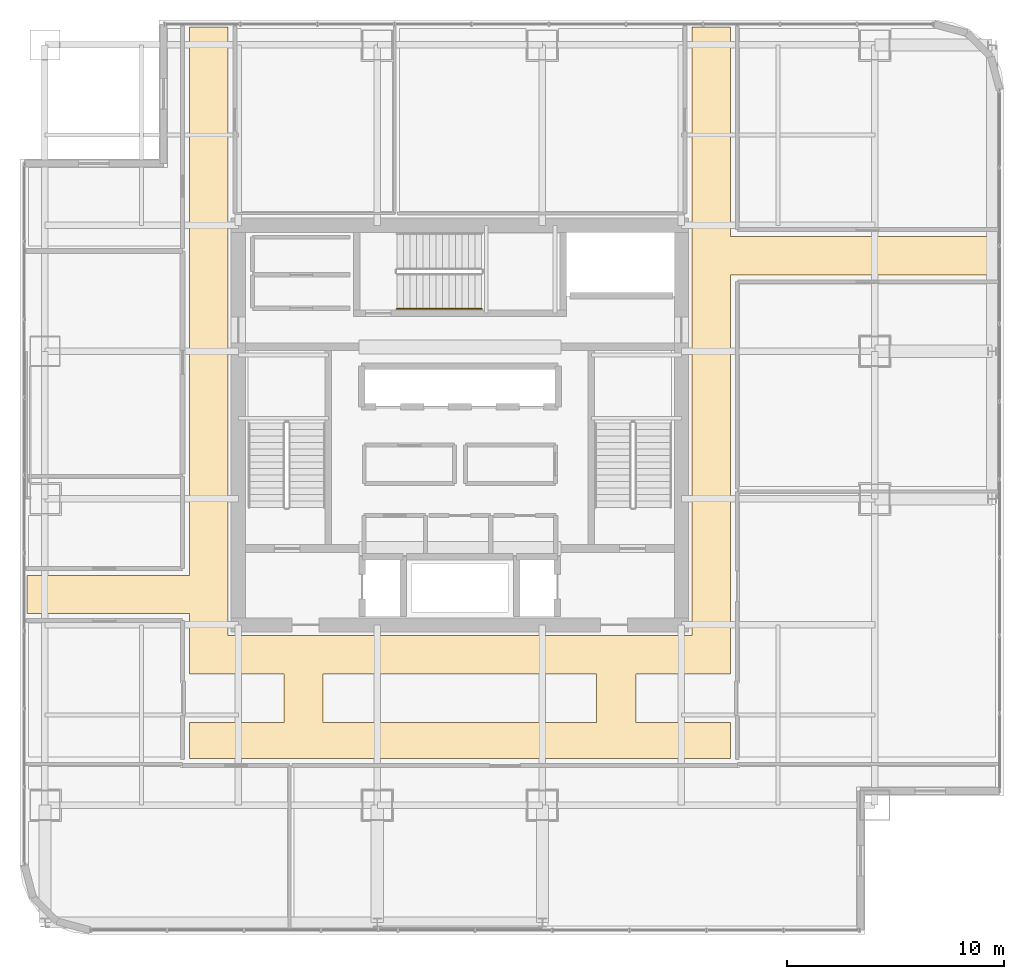
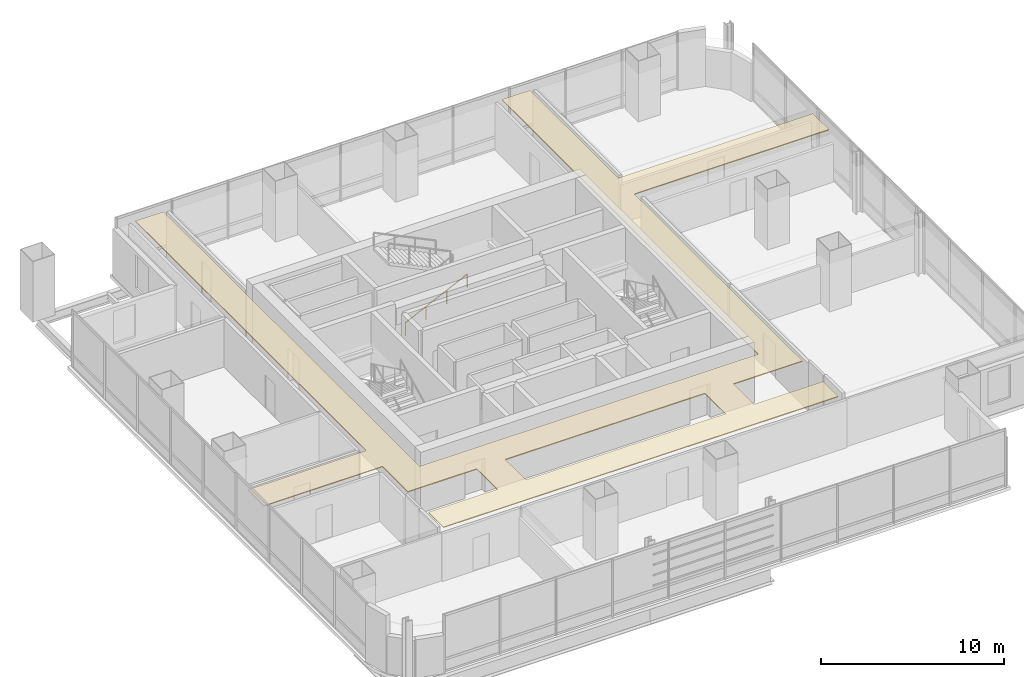
# One storey, part 35 of 37: 1 covering, 1 railing.
"""IFC4 building model written with IfcOpenShell, lengths in metres."""

from ifc_helpers import new_model, si_unit, direction, frame, origin, origin_2d, place, context, subcontext, project, spatial, polyline, circle, outline, extrude, material, layer, layer_set, type_object, element, save


model = new_model("IFC4")

# Units and contexts
model_context = context("Model", 3, precision=1e-05, world=origin(), true_north=direction((0.0, 1.0)))
body_context = subcontext(model_context, "Body", "Model", "MODEL_VIEW")
ifc_project = project(units=[si_unit("LENGTHUNIT", "METRE"), si_unit("AREAUNIT", "SQUARE_METRE"), si_unit("VOLUMEUNIT", "CUBIC_METRE"), si_unit("PLANEANGLEUNIT", "RADIAN"), si_unit("MASSUNIT", "GRAM", prefix="KILO")], contexts=[model_context])

# Site, building, storey
site_placement = place(None, origin())
site = spatial("IfcSite", under=ifc_project, at=site_placement, CompositionType="ELEMENT")
building_placement = place(site_placement, origin())
building = spatial("IfcBuilding", under=site, at=building_placement, Name="Punatoya Terracotta Tower", CompositionType="ELEMENT")
storey_placement = place(building_placement, frame((0.0, 0.0, 224.85009765625)))
storey = spatial("IfcBuildingStorey", under=building, at=storey_placement, Name="L53", CompositionType="ELEMENT", Elevation=224.85009765625)

# Covering
ifc_material_1 = material(Name="Acoustic Mineral Fibre Ceiling")
ifc_layer = layer(ifc_material_1, 0.06005859375)
ifc_layer_set = layer_set([ifc_layer], Name="Acoustic Mineral Fibre Ceiling")
covering_type = type_object("IfcCoveringType", Name="COV-CEIL-60", PredefinedType="CEILING", material=ifc_layer_set)
covering_placement = place(storey_placement, frame((0.0, 0.0, 3.219970703125)))
element("IfcCovering", 1, at=covering_placement, inside=storey, type_object=covering_type, Name="L53 Central Spine Circulation Corridor Acoustic Ceiling", PredefinedType="CEILING", context=body_context, shape_type="SweptSolid", body=[
    extrude(outline(polyline([(12.449951171875, -11.449951171875), (12.449951171875, 6.919921875), (24.72998046875, 6.919921875), (24.72998046875, 8.679931640625), (12.449951171875, 8.679931640625), (12.449951171875, 18.330078125), (10.679931640625, 18.330078125), (10.679931640625, -9.679931640625), (-10.679931640625, -9.679931640625), (-10.679931640625, 18.330078125), (-12.449951171875, 18.330078125), (-12.449951171875, -6.919921875), (-19.929931640625, -6.919921875), (-19.929931640625, -8.679931640625), (-12.449951171875, -8.679931640625), (-12.449951171875, -11.449951171875), (-8.10009765625, -11.449951171875), (-8.10009765625, -13.699951171875), (-12.449951171875, -13.699951171875), (-12.449951171875, -15.35009765625), (12.449951171875, -15.35009765625), (12.449951171875, -13.699951171875), (8.10009765625, -13.699951171875), (8.10009765625, -11.449951171875), (12.449951171875, -11.449951171875)]), holes=[polyline([(-6.300048828125, -13.699951171875), (-6.300048828125, -11.449951171875), (6.300048828125, -11.449951171875), (6.300048828125, -13.699951171875), (-6.300048828125, -13.699951171875)])]), origin(), (0.0, 0.0, 1.0), 0.059814453125),
])

# Railing
ifc_material_2 = material(Name="Steel S355", Category="steel")
railing_type = type_object("IfcRailingType", Name="RLG-HND-900", PredefinedType="HANDRAIL", material=ifc_material_2)
railing_placement = place(storey_placement, frame((-2.89990234375, 5.35009765625, 0.14453125)))
element("IfcRailing", 2, at=railing_placement, inside=storey, type_object=railing_type, Name="L53 ST-3 stair handrail 1", PredefinedType="HANDRAIL", context=body_context, shape_type="SweptSolid", body=[
    extrude(circle(Radius=0.02392578125, at=origin_2d()), frame((0.0, 0.0, 0.8759765625), z_axis=(0.900763166376, 0.0, 0.434310623978), x_axis=(0.0, 1.0, 0.0)), (0.0, 0.0, 1.0), 4.32958984375),
    extrude(circle(Radius=0.02099609375, at=origin_2d()), origin(), (0.0, 0.0, 1.0), 0.851806640625),
    extrude(circle(Radius=0.02099609375, at=origin_2d()), frame((1.300048828125, 0.0, 0.626708984375)), (0.0, 0.0, 1.0), 0.851806640625),
    extrude(circle(Radius=0.02099609375, at=origin_2d()), frame((2.599853515625, 0.0, 1.253662109375)), (0.0, 0.0, 1.0), 0.851806640625),
    extrude(circle(Radius=0.02099609375, at=origin_2d()), frame((3.89990234375, 0.0, 1.88037109375)), (0.0, 0.0, 1.0), 0.851806640625),
])

save(model, "model.ifc")
